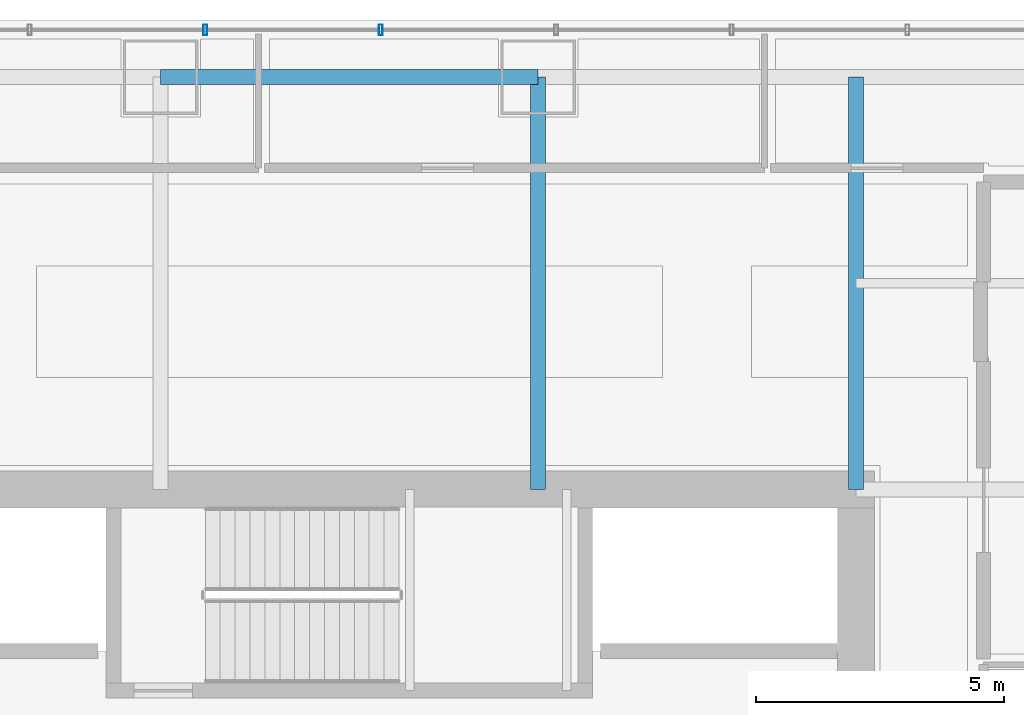
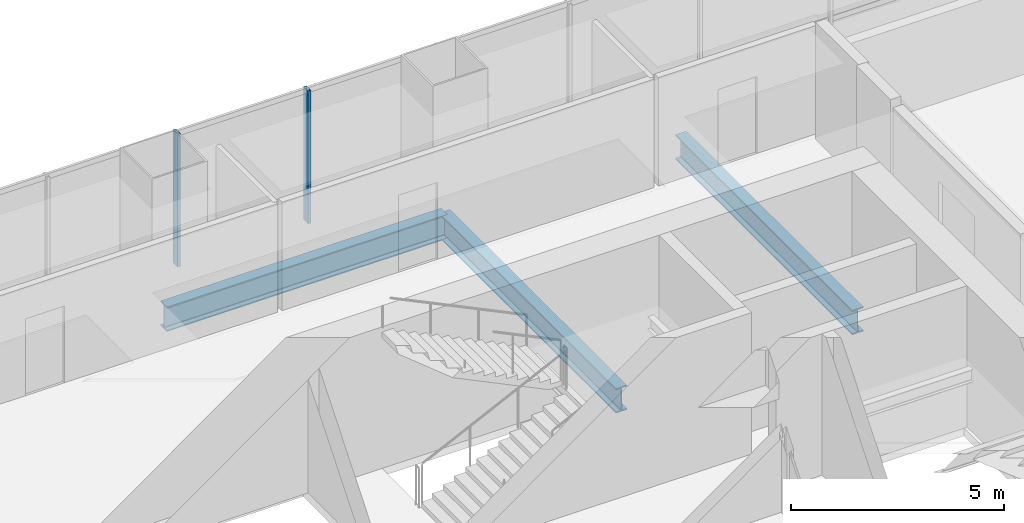
# One storey, part 20 of 34: 3 beams, 2 members, 1 element without a shape of its own.
"""IFC4 building model written with IfcOpenShell, lengths in metres."""

from ifc_helpers import new_model, si_unit, direction, frame, origin, origin_2d, place, context, subcontext, project, spatial, hollow_rectangle, i_section, extrude, material, material_profile, profile_set, type_object, element, aggregate, save


model = new_model("IFC4")

# Units and contexts
model_context = context("Model", 3, precision=1e-05, world=origin(), true_north=direction((0.0, 1.0)))
body_context = subcontext(model_context, "Body", "Model", "MODEL_VIEW")
ifc_project = project(units=[si_unit("LENGTHUNIT", "METRE"), si_unit("AREAUNIT", "SQUARE_METRE"), si_unit("VOLUMEUNIT", "CUBIC_METRE"), si_unit("PLANEANGLEUNIT", "RADIAN"), si_unit("MASSUNIT", "GRAM", prefix="KILO")], contexts=[model_context])

# Site, building, storey
site_placement = place(None, origin())
site = spatial("IfcSite", under=ifc_project, at=site_placement, CompositionType="ELEMENT")
building_placement = place(site_placement, origin())
building = spatial("IfcBuilding", under=site, at=building_placement, Name="Punatoya Terracotta Tower", CompositionType="ELEMENT")
storey_placement = place(building_placement, frame((0.0, 0.0, 80.85009765625)))
storey = spatial("IfcBuildingStorey", under=building, at=storey_placement, Name="L18", CompositionType="ELEMENT", Elevation=80.85009765625)

# Beams
ifc_material_1 = material(Name="Steel S355", Category="steel")
ifc_material_profile_1 = material_profile(ifc_material_1, i_section(OverallWidth=0.300048828125, OverallDepth=0.699951171875, WebThickness=0.01708984375, FlangeThickness=0.031982421875, FilletRadius=0.01806640625, at=origin_2d()))
ifc_profile_set_1 = profile_set([ifc_material_profile_1], Name="Steel S355")
beam_type = type_object("IfcBeamType", Name="BM-PRI-700", PredefinedType="BEAM", material=ifc_profile_set_1)
beam_placement = place(storey_placement, frame((-3.800048828125, 17.5, -0.590087890625), z_axis=(1.0, 0.0, 0.0), x_axis=(0.0, 1.0, 0.0)))
element("IfcBeam", 1, at=beam_placement, inside=storey, type_object=beam_type, Name="BM-L18-RG-N2", PredefinedType="BEAM", context=body_context, shape_type="SweptSolid", body=[
    extrude(i_section(OverallWidth=0.300048828125, OverallDepth=0.699951171875, WebThickness=0.01708984375, FlangeThickness=0.031982421875, FilletRadius=0.01806640625, at=origin_2d()), origin(), (0.0, 0.0, 1.0), 7.60009765625),
])
for number, where, z_axis, x_axis, name in (
    (2, (3.800048828125, 9.199951171875, -0.590087890625), (0.0, 1.0, 0.0), (-1.0, 0.0, 0.0), "BM-L18-PR-N3"),
    (3, (10.199951171875, 9.199951171875, -0.590087890625), (0.0, 1.0, 0.0), (-1.0, 0.0, 0.0), "BM-L18-PR-N4"),
):
    element("IfcBeam", number, at=place(storey_placement, frame(where, z_axis=z_axis, x_axis=x_axis)), inside=storey, type_object=beam_type, Name=name, PredefinedType="BEAM", context=body_context, shape_type="SweptSolid", body=[
        extrude(i_section(OverallWidth=0.300048828125, OverallDepth=0.699951171875, WebThickness=0.01708984375, FlangeThickness=0.031982421875, FilletRadius=0.01806640625, at=origin_2d()), origin(), (0.0, 0.0, 1.0), 8.300048828125),
    ])

# Curtain wall, members
ifc_material_2 = material(Name="Aluminium 6063-T6 + Double Low-E Glass", Category="aluminium")
curtain_wall_type = type_object("IfcCurtainWallType", Name="CW-M1", PredefinedType="NOTDEFINED", material=ifc_material_2)
curtain_wall_placement = place(storey_placement, origin())
curtain_wall = element("IfcCurtainWall", 4, at=curtain_wall_placement, inside=storey, type_object=curtain_wall_type, Name="L18 Curtain Wall CW-L18-N09-1", PredefinedType="NOTDEFINED")
ifc_material_3 = material(Name="Aluminium 6063-T6", Category="aluminium")
ifc_material_profile_2 = material_profile(ifc_material_3, hollow_rectangle(XDim=0.074951171875, YDim=0.2099609375, WallThickness=0.00439453125, at=origin_2d()))
ifc_profile_set_2 = profile_set([ifc_material_profile_2], Name="Aluminium 6063-T6")
member_type = type_object("IfcMemberType", Name="CW-MUL-M1", PredefinedType="MULLION", material=ifc_profile_set_2)
member_1_placement = place(storey_placement, frame((0.633056640625, 18.449951171875, 0.0), z_axis=(0.0, 0.0, 1.0), x_axis=(1.0, 0.0, 0.0)))
member_1 = element("IfcMember", 5, at=member_1_placement, type_object=member_type, Name="CW-L18-N09-1 Mullion 06", PredefinedType="MULLION", context=body_context, shape_type="SweptSolid", body=[
    extrude(hollow_rectangle(XDim=0.074951171875, YDim=0.2099609375, WallThickness=0.00439453125, at=origin_2d()), origin(), (0.0, 0.0, 1.0), 3.809814453125),
])
member_2_placement = place(storey_placement, frame((-2.90087890625, 18.449951171875, 0.0), z_axis=(0.0, 0.0, 1.0), x_axis=(1.0, 0.0, 0.0)))
member_2 = element("IfcMember", 6, at=member_2_placement, type_object=member_type, Name="CW-L18-N09-1 Mullion 07", PredefinedType="MULLION", context=body_context, shape_type="SweptSolid", body=[
    extrude(hollow_rectangle(XDim=0.074951171875, YDim=0.2099609375, WallThickness=0.00439453125, at=origin_2d()), origin(), (0.0, 0.0, 1.0), 3.809814453125),
])
aggregate(curtain_wall, [member_1, member_2])

save(model, "model.ifc")
